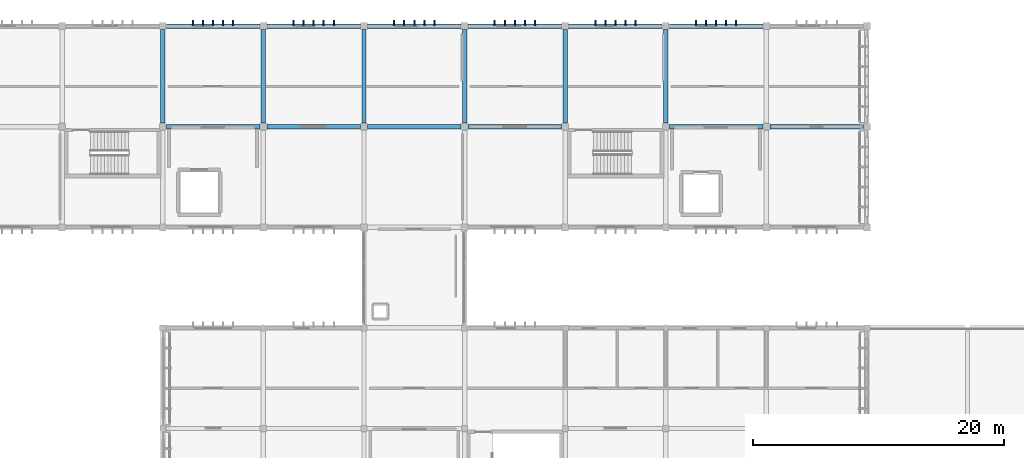
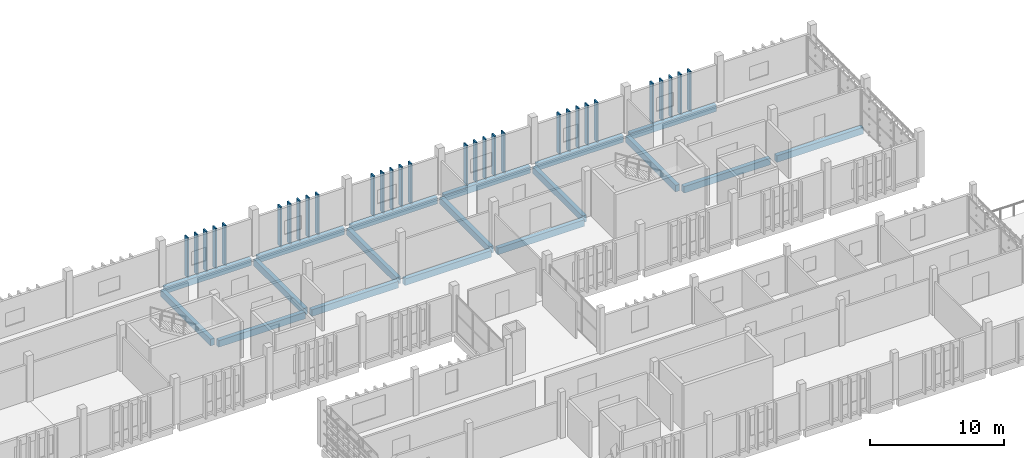
# One storey, part 15 of 32: 30 members, 18 beams.
"""IFC4 building model written with IfcOpenShell, lengths in metres."""

from ifc_helpers import new_model, si_unit, direction, frame, origin, origin_2d, place, context, subcontext, project, spatial, rectangle, extrude, material, material_profile, profile_set, type_object, element, save


model = new_model("IFC4")

# Units and contexts
model_context = context("Model", 3, precision=1e-05, world=origin(), true_north=direction((0.0, 1.0)))
body_context = subcontext(model_context, "Body", "Model", "MODEL_VIEW")
ifc_project = project(units=[si_unit("LENGTHUNIT", "METRE"), si_unit("AREAUNIT", "SQUARE_METRE"), si_unit("VOLUMEUNIT", "CUBIC_METRE"), si_unit("PLANEANGLEUNIT", "RADIAN"), si_unit("MASSUNIT", "GRAM", prefix="KILO")], contexts=[model_context])

# Site, building, storey
site_placement = place(None, origin())
site = spatial("IfcSite", under=ifc_project, at=site_placement, CompositionType="ELEMENT")
building_placement = place(site_placement, origin())
building = spatial("IfcBuilding", under=site, at=building_placement, Name="Jelvoka-Kovrelna Polytechnic", CompositionType="ELEMENT")
storey_placement = place(building_placement, frame((0.0, 0.0, 26.39990234375)))
storey = spatial("IfcBuildingStorey", under=building, at=storey_placement, Name="L07", CompositionType="ELEMENT", Elevation=26.39990234375)

# Beams
ifc_material_1 = material(Name="Concrete C35/45", Category="concrete")
ifc_material_profile_1 = material_profile(ifc_material_1, rectangle(XDim=0.35009765625, YDim=0.60009765625, at=origin_2d()), Name="RC 350x600")
ifc_profile_set_1 = profile_set([ifc_material_profile_1], Name="Concrete C35/45")
beam_type_1 = type_object("IfcBeamType", Name="Beam_RC_350x600", PredefinedType="BEAM", material=ifc_profile_set_1)
for number, where, z_axis, x_axis, name in (
    (1, (128.280029296875, 64.0, -0.539794921875), (1.0, 0.0, 0.0), (0.0, 1.0, 0.0), "L07 beam 1868"),
    (2, (136.280029296875, 64.0, -0.539794921875), (1.0, 0.0, 0.0), (0.0, 1.0, 0.0), "L07 beam 1869"),
    (3, (144.280029296875, 64.0, -0.539794921875), (1.0, 0.0, 0.0), (0.0, 1.0, 0.0), "L07 beam 1870"),
    (4, (152.280029296875, 64.0, -0.539794921875), (1.0, 0.0, 0.0), (0.0, 1.0, 0.0), "L07 beam 1871"),
    (5, (168.280029296875, 64.0, -0.539794921875), (1.0, 0.0, 0.0), (0.0, 1.0, 0.0), "L07 beam 1872"),
    (6, (176.280029296875, 64.0, -0.539794921875), (1.0, 0.0, 0.0), (0.0, 1.0, 0.0), "L07 beam 1873"),
    (7, (128.0, 64.280029296875, -0.539794921875), (0.0, 1.0, 0.0), (-1.0, 0.0, 0.0), "L07 beam 1886"),
    (8, (136.0, 64.280029296875, -0.539794921875), (0.0, 1.0, 0.0), (-1.0, 0.0, 0.0), "L07 beam 1888"),
    (9, (144.0, 64.280029296875, -0.539794921875), (0.0, 1.0, 0.0), (-1.0, 0.0, 0.0), "L07 beam 1890"),
    (10, (152.0, 64.280029296875, -0.539794921875), (0.0, 1.0, 0.0), (-1.0, 0.0, 0.0), "L07 beam 1892"),
    (11, (160.0, 64.280029296875, -0.539794921875), (0.0, 1.0, 0.0), (-1.0, 0.0, 0.0), "L07 beam 1894"),
    (12, (168.0, 64.280029296875, -0.539794921875), (0.0, 1.0, 0.0), (-1.0, 0.0, 0.0), "L07 beam 1896"),
):
    element("IfcBeam", number, at=place(storey_placement, frame(where, z_axis=z_axis, x_axis=x_axis)), inside=storey, type_object=beam_type_1, Name=name, PredefinedType="BEAM", context=body_context, shape_type="SweptSolid", body=[
        extrude(rectangle(XDim=0.35009765625, YDim=0.60009765625, at=origin_2d()), origin(), (0.0, 0.0, 1.0), 7.43994140625),
    ])

# Members
ifc_material_2 = material(Name="Precast concrete C40/50", Category="concrete")
ifc_material_profile_2 = material_profile(ifc_material_2, rectangle(XDim=0.1201171875, YDim=0.449951171875, at=origin_2d()), Name="PC 120x450")
ifc_profile_set_2 = profile_set([ifc_material_profile_2], Name="Precast concrete C40/50")
member_type = type_object("IfcMemberType", Name="Louvre_Fin_120x450", PredefinedType="USERDEFINED", material=ifc_profile_set_2)
for number, where, z_axis, x_axis, name in (
    (13, (130.39990234375, 72.264892578125, -0.27001953125), (0.0, 0.0, 1.0), (1.0, 0.0, 0.0), "L07 B3 north vertical solar louvre fin 2166"),
    (14, (131.199951171875, 72.264892578125, -0.27001953125), (0.0, 0.0, 1.0), (1.0, 0.0, 0.0), "L07 B3 north vertical solar louvre fin 2167"),
    (15, (132.0, 72.264892578125, -0.27001953125), (0.0, 0.0, 1.0), (1.0, 0.0, 0.0), "L07 B3 north vertical solar louvre fin 2168"),
    (16, (132.800048828125, 72.264892578125, -0.27001953125), (0.0, 0.0, 1.0), (1.0, 0.0, 0.0), "L07 B3 north vertical solar louvre fin 2169"),
    (17, (133.60009765625, 72.264892578125, -0.27001953125), (0.0, 0.0, 1.0), (1.0, 0.0, 0.0), "L07 B3 north vertical solar louvre fin 2170"),
    (18, (138.39990234375, 72.264892578125, -0.27001953125), (0.0, 0.0, 1.0), (1.0, 0.0, 0.0), "L07 B3 north vertical solar louvre fin 2176"),
    (19, (139.199951171875, 72.264892578125, -0.27001953125), (0.0, 0.0, 1.0), (1.0, 0.0, 0.0), "L07 B3 north vertical solar louvre fin 2177"),
    (20, (140.0, 72.264892578125, -0.27001953125), (0.0, 0.0, 1.0), (1.0, 0.0, 0.0), "L07 B3 north vertical solar louvre fin 2178"),
    (21, (140.800048828125, 72.264892578125, -0.27001953125), (0.0, 0.0, 1.0), (1.0, 0.0, 0.0), "L07 B3 north vertical solar louvre fin 2179"),
    (22, (141.60009765625, 72.264892578125, -0.27001953125), (0.0, 0.0, 1.0), (1.0, 0.0, 0.0), "L07 B3 north vertical solar louvre fin 2180"),
    (23, (146.39990234375, 72.264892578125, -0.27001953125), (0.0, 0.0, 1.0), (1.0, 0.0, 0.0), "L07 B3 north vertical solar louvre fin 2181"),
    (24, (147.199951171875, 72.264892578125, -0.27001953125), (0.0, 0.0, 1.0), (1.0, 0.0, 0.0), "L07 B3 north vertical solar louvre fin 2182"),
    (25, (148.0, 72.264892578125, -0.27001953125), (0.0, 0.0, 1.0), (1.0, 0.0, 0.0), "L07 B3 north vertical solar louvre fin 2183"),
    (26, (148.800048828125, 72.264892578125, -0.27001953125), (0.0, 0.0, 1.0), (1.0, 0.0, 0.0), "L07 B3 north vertical solar louvre fin 2184"),
    (27, (149.60009765625, 72.264892578125, -0.27001953125), (0.0, 0.0, 1.0), (1.0, 0.0, 0.0), "L07 B3 north vertical solar louvre fin 2185"),
    (28, (154.39990234375, 72.264892578125, -0.27001953125), (0.0, 0.0, 1.0), (1.0, 0.0, 0.0), "L07 B3 north vertical solar louvre fin 2191"),
    (29, (155.199951171875, 72.264892578125, -0.27001953125), (0.0, 0.0, 1.0), (1.0, 0.0, 0.0), "L07 B3 north vertical solar louvre fin 2192"),
    (30, (156.0, 72.264892578125, -0.27001953125), (0.0, 0.0, 1.0), (1.0, 0.0, 0.0), "L07 B3 north vertical solar louvre fin 2193"),
    (31, (156.800048828125, 72.264892578125, -0.27001953125), (0.0, 0.0, 1.0), (1.0, 0.0, 0.0), "L07 B3 north vertical solar louvre fin 2194"),
    (32, (157.60009765625, 72.264892578125, -0.27001953125), (0.0, 0.0, 1.0), (1.0, 0.0, 0.0), "L07 B3 north vertical solar louvre fin 2195"),
    (33, (162.39990234375, 72.264892578125, -0.27001953125), (0.0, 0.0, 1.0), (1.0, 0.0, 0.0), "L07 B3 north vertical solar louvre fin 2201"),
    (34, (163.199951171875, 72.264892578125, -0.27001953125), (0.0, 0.0, 1.0), (1.0, 0.0, 0.0), "L07 B3 north vertical solar louvre fin 2202"),
    (35, (164.0, 72.264892578125, -0.27001953125), (0.0, 0.0, 1.0), (1.0, 0.0, 0.0), "L07 B3 north vertical solar louvre fin 2203"),
    (36, (164.800048828125, 72.264892578125, -0.27001953125), (0.0, 0.0, 1.0), (1.0, 0.0, 0.0), "L07 B3 north vertical solar louvre fin 2204"),
    (37, (165.60009765625, 72.264892578125, -0.27001953125), (0.0, 0.0, 1.0), (1.0, 0.0, 0.0), "L07 B3 north vertical solar louvre fin 2205"),
    (38, (170.39990234375, 72.264892578125, -0.27001953125), (0.0, 0.0, 1.0), (1.0, 0.0, 0.0), "L07 B3 north vertical solar louvre fin 2211"),
    (39, (171.199951171875, 72.264892578125, -0.27001953125), (0.0, 0.0, 1.0), (1.0, 0.0, 0.0), "L07 B3 north vertical solar louvre fin 2212"),
    (40, (172.0, 72.264892578125, -0.27001953125), (0.0, 0.0, 1.0), (1.0, 0.0, 0.0), "L07 B3 north vertical solar louvre fin 2213"),
    (41, (172.800048828125, 72.264892578125, -0.27001953125), (0.0, 0.0, 1.0), (1.0, 0.0, 0.0), "L07 B3 north vertical solar louvre fin 2214"),
    (42, (173.60009765625, 72.264892578125, -0.27001953125), (0.0, 0.0, 1.0), (1.0, 0.0, 0.0), "L07 B3 north vertical solar louvre fin 2215"),
):
    element("IfcMember", number, at=place(storey_placement, frame(where, z_axis=z_axis, x_axis=x_axis)), inside=storey, type_object=member_type, Name=name, ObjectType="SUNSHADE", PredefinedType="USERDEFINED", context=body_context, shape_type="SweptSolid", body=[
        extrude(rectangle(XDim=0.1201171875, YDim=0.449951171875, at=origin_2d()), origin(), (0.0, 0.0, 1.0), 3.670166015625),
    ])

# Beams
ifc_material_3 = material(Name="Concrete C40/50", Category="concrete")
ifc_material_profile_3 = material_profile(ifc_material_3, rectangle(XDim=0.35009765625, YDim=0.60009765625, at=origin_2d()), Name="RC 350x600")
ifc_profile_set_3 = profile_set([ifc_material_profile_3], Name="Concrete C40/50")
beam_type_2 = type_object("IfcBeamType", Name="Spandrel_RC_350x600", PredefinedType="SPANDREL", material=ifc_profile_set_3)
for number, where, z_axis, x_axis, name in (
    (43, (128.280029296875, 72.0, -0.539794921875), (1.0, 0.0, 0.0), (0.0, 1.0, 0.0), "L07 beam 1876"),
    (44, (136.280029296875, 72.0, -0.539794921875), (1.0, 0.0, 0.0), (0.0, 1.0, 0.0), "L07 beam 1877"),
    (45, (144.280029296875, 72.0, -0.539794921875), (1.0, 0.0, 0.0), (0.0, 1.0, 0.0), "L07 beam 1878"),
    (46, (152.280029296875, 72.0, -0.539794921875), (1.0, 0.0, 0.0), (0.0, 1.0, 0.0), "L07 beam 1879"),
    (47, (160.280029296875, 72.0, -0.539794921875), (1.0, 0.0, 0.0), (0.0, 1.0, 0.0), "L07 beam 1880"),
    (48, (168.280029296875, 72.0, -0.539794921875), (1.0, 0.0, 0.0), (0.0, 1.0, 0.0), "L07 beam 1881"),
):
    element("IfcBeam", number, at=place(storey_placement, frame(where, z_axis=z_axis, x_axis=x_axis)), inside=storey, type_object=beam_type_2, Name=name, PredefinedType="SPANDREL", context=body_context, shape_type="SweptSolid", body=[
        extrude(rectangle(XDim=0.35009765625, YDim=0.60009765625, at=origin_2d()), origin(), (0.0, 0.0, 1.0), 7.43994140625),
    ])

save(model, "model.ifc")
